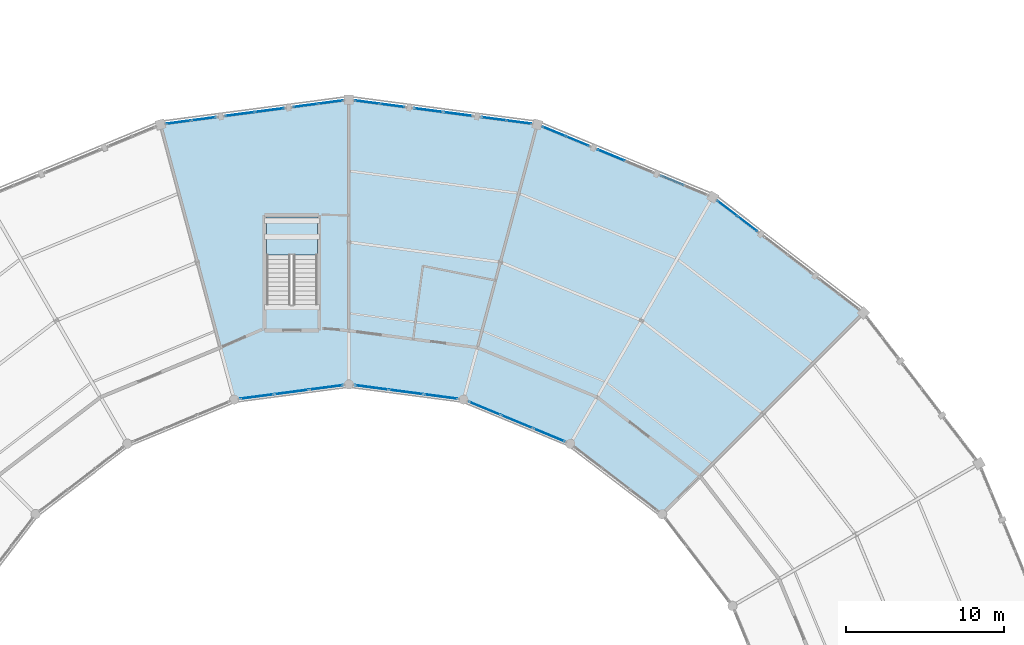
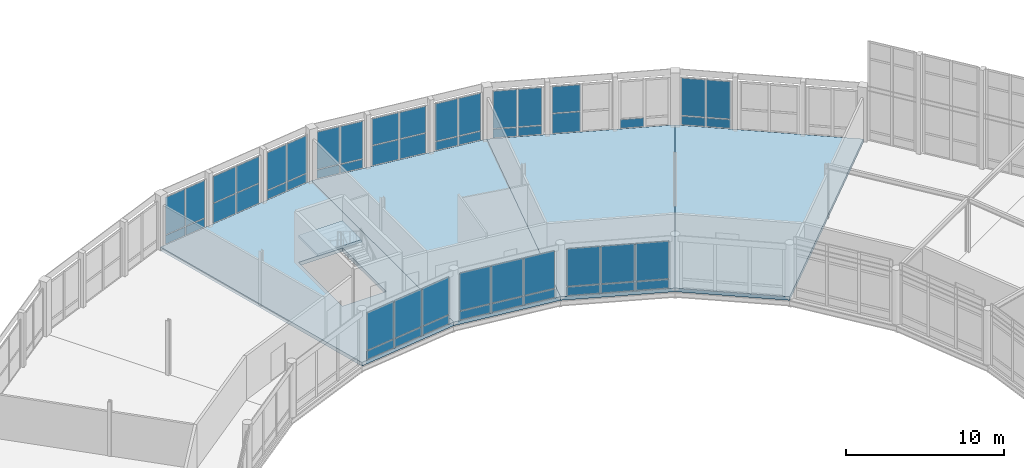
# One storey, part 142 of 185: 53 plates, 5 slabs, 14 elements without a shape of their own.
"""IFC4 building model written with IfcOpenShell, lengths in metres."""

from ifc_helpers import new_model, si_unit, direction, frame, origin, origin_2d, place, context, subcontext, project, spatial, polyline, rectangle, outline, extrude, material, layer, layer_set, type_object, element, aggregate, save


model = new_model("IFC4")

# Units and contexts
model_context = context("Model", 3, precision=1e-05, world=origin(), true_north=direction((0.0, 1.0)))
body_context = subcontext(model_context, "Body", "Model", "MODEL_VIEW")
ifc_project = project(units=[si_unit("LENGTHUNIT", "METRE"), si_unit("AREAUNIT", "SQUARE_METRE"), si_unit("VOLUMEUNIT", "CUBIC_METRE"), si_unit("PLANEANGLEUNIT", "RADIAN"), si_unit("MASSUNIT", "GRAM", prefix="KILO")], contexts=[model_context])

# Site, building, storey
site_placement = place(None, origin())
site = spatial("IfcSite", under=ifc_project, at=site_placement, CompositionType="ELEMENT")
building_placement = place(site_placement, origin())
building = spatial("IfcBuilding", under=site, at=building_placement, Name="Vondelvale Polytechnic", CompositionType="ELEMENT")
storey_placement = place(building_placement, frame((0.0, 0.0, 9.60009765625)))
storey = spatial("IfcBuildingStorey", under=building, at=storey_placement, Name="L02", CompositionType="ELEMENT", Elevation=9.60009765625)

# Curtain wall, plates
ifc_material_1 = material(Name="Glulam GL18 structural Tasmanian oak (fb = 42 MPa)", Category="wood")
curtain_wall_type_1 = type_object("IfcCurtainWallType", Name="CW-RING-OUTER", PredefinedType="NOTDEFINED", material=ifc_material_1)
curtain_wall_1_placement = place(storey_placement, origin())
curtain_wall_1 = element("IfcCurtainWall", 1, at=curtain_wall_1_placement, inside=storey, type_object=curtain_wall_type_1, Name="L02 architectural curtain wall CW-04-107", PredefinedType="NOTDEFINED")
ifc_material_2 = material(Name="Double-glazed low-E insulated architectural glass", Category="glass")
ifc_layer_1 = layer(ifc_material_2, 0.028076171875)
ifc_layer_set_1 = layer_set([ifc_layer_1], Name="CW-PANEL-GLAZED")
plate_type_1 = type_object("IfcPlateType", Name="CW-PANEL-GLAZED", PredefinedType="CURTAIN_PANEL", material=ifc_layer_set_1)
plate_1_placement = place(storey_placement, frame((127.187744140625, 110.158447265625, 0.780029296875), z_axis=(0.0, 0.0, 1.0), x_axis=(-0.793333825656, 0.608786860133, 0.0)))
plate_1 = element("IfcPlate", 2, at=plate_1_placement, type_object=plate_type_1, Name="CW-04-107 panel 1.2", PredefinedType="CURTAIN_PANEL", context=body_context, shape_type="SweptSolid", body=[
    extrude(rectangle(XDim=1.530029296875, YDim=0.028076171875, at=origin_2d()), origin(), (0.0, 0.0, 1.0), 2.8798828125),
])
plate_2_placement = place(storey_placement, frame((125.92236328125, 111.12939453125, 0.780029296875), z_axis=(0.0, 0.0, 1.0), x_axis=(-0.793333825656, 0.608786860133, 0.0)))
plate_2 = element("IfcPlate", 3, at=plate_2_placement, type_object=plate_type_1, Name="CW-04-107 panel 2.2", PredefinedType="CURTAIN_PANEL", context=body_context, shape_type="SweptSolid", body=[
    extrude(rectangle(XDim=1.530029296875, YDim=0.028076171875, at=origin_2d()), origin(), (0.0, 0.0, 1.0), 2.8798828125),
])

ifc_material_3 = material(Name="Anodised extruded aluminium 6063-T6", Category="aluminium")
curtain_wall_type_2 = type_object("IfcCurtainWallType", Name="CW-RING-CLOISTER", PredefinedType="NOTDEFINED", material=ifc_material_3)
curtain_wall_2_placement = place(storey_placement, origin())
curtain_wall_2 = element("IfcCurtainWall", 4, at=curtain_wall_2_placement, inside=storey, type_object=curtain_wall_type_2, Name="L02 architectural curtain wall CW-03-119", PredefinedType="NOTDEFINED")
plate_3_placement = place(storey_placement, frame((114.655029296875, 96.805908203125, 0.7822265625), z_axis=(0.0, 0.0, 1.0), x_axis=(-0.923881562419, 0.382678531697, 0.0)))
plate_3 = element("IfcPlate", 5, at=plate_3_placement, type_object=plate_type_1, Name="CW-03-119 panel 1.2", PredefinedType="CURTAIN_PANEL", context=body_context, shape_type="SweptSolid", body=[
    extrude(rectangle(XDim=2.111572265625, YDim=0.028076171875, at=origin_2d()), origin(), (0.0, 0.0, 1.0), 2.902587890625),
])
plate_4_placement = place(storey_placement, frame((112.62353515625, 97.647216796875, 0.7822265625), z_axis=(0.0, 0.0, 1.0), x_axis=(-0.923881562419, 0.382678531697, 0.0)))
plate_4 = element("IfcPlate", 6, at=plate_4_placement, type_object=plate_type_1, Name="CW-03-119 panel 2.2", PredefinedType="CURTAIN_PANEL", context=body_context, shape_type="SweptSolid", body=[
    extrude(rectangle(XDim=2.146484375, YDim=0.028076171875, at=origin_2d()), origin(), (0.0, 0.0, 1.0), 2.902587890625),
])
plate_5_placement = place(storey_placement, frame((110.591796875, 98.48876953125, 0.7822265625), z_axis=(0.0, 0.0, 1.0), x_axis=(-0.923881562419, 0.382678531697, 0.0)))
plate_5 = element("IfcPlate", 7, at=plate_5_placement, type_object=plate_type_1, Name="CW-03-119 panel 3.2", PredefinedType="CURTAIN_PANEL", context=body_context, shape_type="SweptSolid", body=[
    extrude(rectangle(XDim=2.111572265625, YDim=0.028076171875, at=origin_2d()), origin(), (0.0, 0.0, 1.0), 2.902587890625),
])

curtain_wall_3_placement = place(storey_placement, origin())
curtain_wall_3 = element("IfcCurtainWall", 8, at=curtain_wall_3_placement, inside=storey, type_object=curtain_wall_type_1, Name="L02 architectural curtain wall CW-04-122", PredefinedType="NOTDEFINED")
plate_6_placement = place(storey_placement, frame((116.453369140625, 115.377197265625, 0.780029296875), z_axis=(0.0, 0.0, 1.0), x_axis=(-0.923882033442, 0.382677394529, 0.0)))
plate_6 = element("IfcPlate", 9, at=plate_6_placement, type_object=plate_type_1, Name="CW-04-122 panel 1.2", PredefinedType="CURTAIN_PANEL", context=body_context, shape_type="SweptSolid", body=[
    extrude(rectangle(XDim=1.530029296875, YDim=0.028076171875, at=origin_2d()), origin(), (0.0, 0.0, 1.0), 2.8798828125),
])
plate_7_placement = place(storey_placement, frame((114.97998046875, 115.98779296875, 0.780029296875), z_axis=(0.0, 0.0, 1.0), x_axis=(-0.923882033442, 0.382677394529, 0.0)))
plate_7 = element("IfcPlate", 10, at=plate_7_placement, type_object=plate_type_1, Name="CW-04-122 panel 2.2", PredefinedType="CURTAIN_PANEL", context=body_context, shape_type="SweptSolid", body=[
    extrude(rectangle(XDim=1.530029296875, YDim=0.028076171875, at=origin_2d()), origin(), (0.0, 0.0, 1.0), 2.8798828125),
])

curtain_wall_4_placement = place(storey_placement, origin())
curtain_wall_4 = element("IfcCurtainWall", 11, at=curtain_wall_4_placement, inside=storey, type_object=curtain_wall_type_2, Name="L02 architectural curtain wall CW-03-139", PredefinedType="NOTDEFINED")
plate_8_placement = place(storey_placement, frame((107.804443359375, 99.23583984375, 0.7822265625), z_axis=(0.0, 0.0, 1.0), x_axis=(-0.99144462243, 0.130528007165, 0.0)))
plate_8 = element("IfcPlate", 12, at=plate_8_placement, type_object=plate_type_1, Name="CW-03-139 panel 1.2", PredefinedType="CURTAIN_PANEL", context=body_context, shape_type="SweptSolid", body=[
    extrude(rectangle(XDim=2.1123046875, YDim=0.028076171875, at=origin_2d()), origin(), (0.0, 0.0, 1.0), 2.902587890625),
])
plate_9_placement = place(storey_placement, frame((105.62353515625, 99.52294921875, 0.7822265625), z_axis=(0.0, 0.0, 1.0), x_axis=(-0.99144462243, 0.130528007165, 0.0)))
plate_9 = element("IfcPlate", 13, at=plate_9_placement, type_object=plate_type_1, Name="CW-03-139 panel 2.2", PredefinedType="CURTAIN_PANEL", context=body_context, shape_type="SweptSolid", body=[
    extrude(rectangle(XDim=2.1474609375, YDim=0.028076171875, at=origin_2d()), origin(), (0.0, 0.0, 1.0), 2.902587890625),
])
plate_10_placement = place(storey_placement, frame((103.4423828125, 99.81005859375, 0.7822265625), z_axis=(0.0, 0.0, 1.0), x_axis=(-0.99144462243, 0.130528007165, 0.0)))
plate_10 = element("IfcPlate", 14, at=plate_10_placement, type_object=plate_type_1, Name="CW-03-139 panel 3.2", PredefinedType="CURTAIN_PANEL", context=body_context, shape_type="SweptSolid", body=[
    extrude(rectangle(XDim=2.1123046875, YDim=0.028076171875, at=origin_2d()), origin(), (0.0, 0.0, 1.0), 2.902587890625),
])

curtain_wall_5_placement = place(storey_placement, origin())
curtain_wall_5 = element("IfcCurtainWall", 15, at=curtain_wall_5_placement, inside=storey, type_object=curtain_wall_type_1, Name="L02 architectural curtain wall CW-04-140", PredefinedType="NOTDEFINED")
plate_11_placement = place(storey_placement, frame((112.7529296875, 116.584228515625, 0.780029296875), z_axis=(0.0, 0.0, 1.0), x_axis=(-0.991443102996, 0.130539547729, 0.0)))
plate_11 = element("IfcPlate", 16, at=plate_11_placement, type_object=plate_type_1, Name="CW-04-140 panel 1.2", PredefinedType="CURTAIN_PANEL", context=body_context, shape_type="SweptSolid", body=[
    extrude(rectangle(XDim=1.530029296875, YDim=0.028076171875, at=origin_2d()), origin(), (0.0, 0.0, 1.0), 2.8798828125),
])
plate_12_placement = place(storey_placement, frame((111.171630859375, 116.79248046875, 0.780029296875), z_axis=(0.0, 0.0, 1.0), x_axis=(-0.991443102996, 0.130539547729, 0.0)))
plate_12 = element("IfcPlate", 17, at=plate_12_placement, type_object=plate_type_1, Name="CW-04-140 panel 2.2", PredefinedType="CURTAIN_PANEL", context=body_context, shape_type="SweptSolid", body=[
    extrude(rectangle(XDim=1.530029296875, YDim=0.028076171875, at=origin_2d()), origin(), (0.0, 0.0, 1.0), 2.8798828125),
])

curtain_wall_6_placement = place(storey_placement, origin())
curtain_wall_6 = element("IfcCurtainWall", 18, at=curtain_wall_6_placement, inside=storey, type_object=curtain_wall_type_1, Name="L02 architectural curtain wall CW-04-141", PredefinedType="NOTDEFINED")
plate_13_placement = place(storey_placement, frame((108.8818359375, 117.093994140625, 1.6298828125), z_axis=(0.0, 0.0, 1.0), x_axis=(-0.991448671082, 0.130497251349, 0.0)))
plate_13 = element("IfcPlate", 19, at=plate_13_placement, type_object=plate_type_1, Name="CW-04-141 panel 1.2", PredefinedType="CURTAIN_PANEL", context=body_context, shape_type="SweptSolid", body=[
    extrude(rectangle(XDim=1.80908203125, YDim=0.028076171875, at=origin_2d()), origin(), (0.0, 0.0, 1.0), 2.030029296875),
])
plate_14_placement = place(storey_placement, frame((107.02392578125, 117.338623046875, 1.6298828125), z_axis=(0.0, 0.0, 1.0), x_axis=(-0.991448671082, 0.130497251349, 0.0)))
plate_14 = element("IfcPlate", 20, at=plate_14_placement, type_object=plate_type_1, Name="CW-04-141 panel 2.2", PredefinedType="CURTAIN_PANEL", context=body_context, shape_type="SweptSolid", body=[
    extrude(rectangle(XDim=1.80908203125, YDim=0.028076171875, at=origin_2d()), origin(), (0.0, 0.0, 1.0), 2.030029296875),
])

curtain_wall_7_placement = place(storey_placement, origin())
curtain_wall_7 = element("IfcCurtainWall", 21, at=curtain_wall_7_placement, inside=storey, type_object=curtain_wall_type_1, Name="L02 architectural curtain wall CW-04-142", PredefinedType="NOTDEFINED")
plate_15_placement = place(storey_placement, frame((104.734130859375, 117.64013671875, 0.780029296875), z_axis=(0.0, 0.0, 1.0), x_axis=(-0.991443102996, 0.130539547729, 0.0)))
plate_15 = element("IfcPlate", 22, at=plate_15_placement, type_object=plate_type_1, Name="CW-04-142 panel 1.2", PredefinedType="CURTAIN_PANEL", context=body_context, shape_type="SweptSolid", body=[
    extrude(rectangle(XDim=1.530029296875, YDim=0.028076171875, at=origin_2d()), origin(), (0.0, 0.0, 1.0), 2.8798828125),
])
plate_16_placement = place(storey_placement, frame((103.15283203125, 117.84814453125, 0.780029296875), z_axis=(0.0, 0.0, 1.0), x_axis=(-0.991443102996, 0.130539547729, 0.0)))
plate_16 = element("IfcPlate", 23, at=plate_16_placement, type_object=plate_type_1, Name="CW-04-142 panel 2.2", PredefinedType="CURTAIN_PANEL", context=body_context, shape_type="SweptSolid", body=[
    extrude(rectangle(XDim=1.530029296875, YDim=0.028076171875, at=origin_2d()), origin(), (0.0, 0.0, 1.0), 2.8798828125),
])

curtain_wall_8_placement = place(storey_placement, origin())
curtain_wall_8 = element("IfcCurtainWall", 24, at=curtain_wall_8_placement, inside=storey, type_object=curtain_wall_type_2, Name="L02 architectural curtain wall CW-03-159", PredefinedType="NOTDEFINED")
plate_17_placement = place(storey_placement, frame((100.5576171875, 99.81005859375, 0.7822265625), z_axis=(0.0, 0.0, 1.0), x_axis=(-0.99144462243, -0.130528007165, 0.0)))
plate_17 = element("IfcPlate", 25, at=plate_17_placement, type_object=plate_type_1, Name="CW-03-159 panel 1.2", PredefinedType="CURTAIN_PANEL", context=body_context, shape_type="SweptSolid", body=[
    extrude(rectangle(XDim=2.1123046875, YDim=0.028076171875, at=origin_2d()), origin(), (0.0, 0.0, 1.0), 2.902587890625),
])
plate_18_placement = place(storey_placement, frame((98.37646484375, 99.52294921875, 0.7822265625), z_axis=(0.0, 0.0, 1.0), x_axis=(-0.99144462243, -0.130528007165, 0.0)))
plate_18 = element("IfcPlate", 26, at=plate_18_placement, type_object=plate_type_1, Name="CW-03-159 panel 2.2", PredefinedType="CURTAIN_PANEL", context=body_context, shape_type="SweptSolid", body=[
    extrude(rectangle(XDim=2.1474609375, YDim=0.028076171875, at=origin_2d()), origin(), (0.0, 0.0, 1.0), 2.902587890625),
])
plate_19_placement = place(storey_placement, frame((96.195556640625, 99.23583984375, 0.7822265625), z_axis=(0.0, 0.0, 1.0), x_axis=(-0.99144462243, -0.130528007165, 0.0)))
plate_19 = element("IfcPlate", 27, at=plate_19_placement, type_object=plate_type_1, Name="CW-03-159 panel 3.2", PredefinedType="CURTAIN_PANEL", context=body_context, shape_type="SweptSolid", body=[
    extrude(rectangle(XDim=2.1123046875, YDim=0.028076171875, at=origin_2d()), origin(), (0.0, 0.0, 1.0), 2.902587890625),
])

curtain_wall_9_placement = place(storey_placement, origin())
curtain_wall_9 = element("IfcCurtainWall", 28, at=curtain_wall_9_placement, inside=storey, type_object=curtain_wall_type_1, Name="L02 architectural curtain wall CW-04-160", PredefinedType="NOTDEFINED")
plate_20_placement = place(storey_placement, frame((100.84716796875, 117.84814453125, 0.780029296875), z_axis=(0.0, 0.0, 1.0), x_axis=(-0.991443102996, -0.130539547729, 0.0)))
plate_20 = element("IfcPlate", 29, at=plate_20_placement, type_object=plate_type_1, Name="CW-04-160 panel 1.2", PredefinedType="CURTAIN_PANEL", context=body_context, shape_type="SweptSolid", body=[
    extrude(rectangle(XDim=1.530029296875, YDim=0.028076171875, at=origin_2d()), origin(), (0.0, 0.0, 1.0), 2.8798828125),
])
plate_21_placement = place(storey_placement, frame((99.265869140625, 117.64013671875, 0.780029296875), z_axis=(0.0, 0.0, 1.0), x_axis=(-0.991443102996, -0.130539547729, 0.0)))
plate_21 = element("IfcPlate", 30, at=plate_21_placement, type_object=plate_type_1, Name="CW-04-160 panel 2.2", PredefinedType="CURTAIN_PANEL", context=body_context, shape_type="SweptSolid", body=[
    extrude(rectangle(XDim=1.530029296875, YDim=0.028076171875, at=origin_2d()), origin(), (0.0, 0.0, 1.0), 2.8798828125),
])

curtain_wall_10_placement = place(storey_placement, origin())
curtain_wall_10 = element("IfcCurtainWall", 31, at=curtain_wall_10_placement, inside=storey, type_object=curtain_wall_type_1, Name="L02 architectural curtain wall CW-04-162", PredefinedType="NOTDEFINED")
plate_22_placement = place(storey_placement, frame((92.828369140625, 116.79248046875, 0.780029296875), z_axis=(0.0, 0.0, 1.0), x_axis=(-0.991443102996, -0.130539547729, 0.0)))
plate_22 = element("IfcPlate", 32, at=plate_22_placement, type_object=plate_type_1, Name="CW-04-162 panel 1.2", PredefinedType="CURTAIN_PANEL", context=body_context, shape_type="SweptSolid", body=[
    extrude(rectangle(XDim=1.530029296875, YDim=0.028076171875, at=origin_2d()), origin(), (0.0, 0.0, 1.0), 2.8798828125),
])
plate_23_placement = place(storey_placement, frame((91.2470703125, 116.584228515625, 0.780029296875), z_axis=(0.0, 0.0, 1.0), x_axis=(-0.991443102996, -0.130539547729, 0.0)))
plate_23 = element("IfcPlate", 33, at=plate_23_placement, type_object=plate_type_1, Name="CW-04-162 panel 2.2", PredefinedType="CURTAIN_PANEL", context=body_context, shape_type="SweptSolid", body=[
    extrude(rectangle(XDim=1.530029296875, YDim=0.028076171875, at=origin_2d()), origin(), (0.0, 0.0, 1.0), 2.8798828125),
])

# Plate
ifc_material_4 = material(Name="Engineered Tasmanian oak studio and bridge joinery")
ifc_layer_2 = layer(ifc_material_4, 0.0419921875)
ifc_layer_set_2 = layer_set([ifc_layer_2], Name="CW-PANEL-OAK")
plate_type_2 = type_object("IfcPlateType", Name="CW-PANEL-OAK", PredefinedType="CURTAIN_PANEL", material=ifc_layer_set_2)
plate_24_placement = place(storey_placement, frame((114.655029296875, 96.805908203125, 0.06494140625), z_axis=(0.0, 0.0, 1.0), x_axis=(-0.923881562419, 0.382678531697, 0.0)))
plate_24 = element("IfcPlate", 34, at=plate_24_placement, type_object=plate_type_2, Name="CW-03-119 panel 1.1", PredefinedType="CURTAIN_PANEL", context=body_context, shape_type="SweptSolid", body=[
    extrude(rectangle(XDim=2.111572265625, YDim=0.0419921875, at=origin_2d()), origin(), (0.0, 0.0, 1.0), 0.652587890625),
])

plate_25_placement = place(storey_placement, frame((112.62353515625, 97.647216796875, 0.06494140625), z_axis=(0.0, 0.0, 1.0), x_axis=(-0.923881562419, 0.382678531697, 0.0)))
plate_25 = element("IfcPlate", 35, at=plate_25_placement, type_object=plate_type_2, Name="CW-03-119 panel 2.1", PredefinedType="CURTAIN_PANEL", context=body_context, shape_type="SweptSolid", body=[
    extrude(rectangle(XDim=2.146484375, YDim=0.0419921875, at=origin_2d()), origin(), (0.0, 0.0, 1.0), 0.652587890625),
])

plate_26_placement = place(storey_placement, frame((110.591796875, 98.48876953125, 0.06494140625), z_axis=(0.0, 0.0, 1.0), x_axis=(-0.923881562419, 0.382678531697, 0.0)))
plate_26 = element("IfcPlate", 36, at=plate_26_placement, type_object=plate_type_2, Name="CW-03-119 panel 3.1", PredefinedType="CURTAIN_PANEL", context=body_context, shape_type="SweptSolid", body=[
    extrude(rectangle(XDim=2.111572265625, YDim=0.0419921875, at=origin_2d()), origin(), (0.0, 0.0, 1.0), 0.652587890625),
])

aggregate(curtain_wall_2, [plate_24, plate_3, plate_25, plate_4, plate_26, plate_5])

# Curtain wall, plates
curtain_wall_11_placement = place(storey_placement, origin())
curtain_wall_11 = element("IfcCurtainWall", 37, at=curtain_wall_11_placement, inside=storey, type_object=curtain_wall_type_1, Name="L02 architectural curtain wall CW-04-121", PredefinedType="NOTDEFINED")
plate_27_placement = place(storey_placement, frame((118.587158203125, 114.493408203125, 0.06005859375), z_axis=(0.0, 0.0, 1.0), x_axis=(-0.92387490701, 0.382694599123, 0.0)))
plate_27 = element("IfcPlate", 38, at=plate_27_placement, type_object=plate_type_2, Name="CW-04-121 panel 2.1", PredefinedType="CURTAIN_PANEL", context=body_context, shape_type="SweptSolid", body=[
    extrude(rectangle(XDim=1.80908203125, YDim=0.0419921875, at=origin_2d()), origin(), (0.0, 0.0, 1.0), 1.510009765625),
])
plate_28_placement = place(storey_placement, frame((118.587158203125, 114.493408203125, 1.6298828125), z_axis=(0.0, 0.0, 1.0), x_axis=(-0.92387490701, 0.382694599123, 0.0)))
plate_28 = element("IfcPlate", 39, at=plate_28_placement, type_object=plate_type_2, Name="CW-04-121 panel 2.2", PredefinedType="CURTAIN_PANEL", context=body_context, shape_type="SweptSolid", body=[
    extrude(rectangle(XDim=1.80908203125, YDim=0.0419921875, at=origin_2d()), origin(), (0.0, 0.0, 1.0), 2.030029296875),
])
aggregate(curtain_wall_11, [plate_27, plate_28])

# Plate
plate_29_placement = place(storey_placement, frame((107.804443359375, 99.23583984375, 0.06494140625), z_axis=(0.0, 0.0, 1.0), x_axis=(-0.99144462243, 0.130528007165, 0.0)))
plate_29 = element("IfcPlate", 40, at=plate_29_placement, type_object=plate_type_2, Name="CW-03-139 panel 1.1", PredefinedType="CURTAIN_PANEL", context=body_context, shape_type="SweptSolid", body=[
    extrude(rectangle(XDim=2.1123046875, YDim=0.0419921875, at=origin_2d()), origin(), (0.0, 0.0, 1.0), 0.652587890625),
])

plate_30_placement = place(storey_placement, frame((105.62353515625, 99.52294921875, 0.06494140625), z_axis=(0.0, 0.0, 1.0), x_axis=(-0.99144462243, 0.130528007165, 0.0)))
plate_30 = element("IfcPlate", 41, at=plate_30_placement, type_object=plate_type_2, Name="CW-03-139 panel 2.1", PredefinedType="CURTAIN_PANEL", context=body_context, shape_type="SweptSolid", body=[
    extrude(rectangle(XDim=2.1474609375, YDim=0.0419921875, at=origin_2d()), origin(), (0.0, 0.0, 1.0), 0.652587890625),
])

plate_31_placement = place(storey_placement, frame((103.4423828125, 99.81005859375, 0.06494140625), z_axis=(0.0, 0.0, 1.0), x_axis=(-0.99144462243, 0.130528007165, 0.0)))
plate_31 = element("IfcPlate", 42, at=plate_31_placement, type_object=plate_type_2, Name="CW-03-139 panel 3.1", PredefinedType="CURTAIN_PANEL", context=body_context, shape_type="SweptSolid", body=[
    extrude(rectangle(XDim=2.1123046875, YDim=0.0419921875, at=origin_2d()), origin(), (0.0, 0.0, 1.0), 0.652587890625),
])

aggregate(curtain_wall_4, [plate_29, plate_8, plate_30, plate_9, plate_31, plate_10])

plate_32_placement = place(storey_placement, frame((108.8818359375, 117.093994140625, 0.06005859375), z_axis=(0.0, 0.0, 1.0), x_axis=(-0.991448671082, 0.130497251349, 0.0)))
plate_32 = element("IfcPlate", 43, at=plate_32_placement, type_object=plate_type_2, Name="CW-04-141 panel 1.1", PredefinedType="CURTAIN_PANEL", context=body_context, shape_type="SweptSolid", body=[
    extrude(rectangle(XDim=1.80908203125, YDim=0.0419921875, at=origin_2d()), origin(), (0.0, 0.0, 1.0), 1.510009765625),
])

plate_33_placement = place(storey_placement, frame((107.02392578125, 117.338623046875, 0.06005859375), z_axis=(0.0, 0.0, 1.0), x_axis=(-0.991448671082, 0.130497251349, 0.0)))
plate_33 = element("IfcPlate", 44, at=plate_33_placement, type_object=plate_type_2, Name="CW-04-141 panel 2.1", PredefinedType="CURTAIN_PANEL", context=body_context, shape_type="SweptSolid", body=[
    extrude(rectangle(XDim=1.80908203125, YDim=0.0419921875, at=origin_2d()), origin(), (0.0, 0.0, 1.0), 1.510009765625),
])

aggregate(curtain_wall_6, [plate_32, plate_13, plate_33, plate_14])

plate_34_placement = place(storey_placement, frame((100.5576171875, 99.81005859375, 0.06494140625), z_axis=(0.0, 0.0, 1.0), x_axis=(-0.99144462243, -0.130528007165, 0.0)))
plate_34 = element("IfcPlate", 45, at=plate_34_placement, type_object=plate_type_2, Name="CW-03-159 panel 1.1", PredefinedType="CURTAIN_PANEL", context=body_context, shape_type="SweptSolid", body=[
    extrude(rectangle(XDim=2.1123046875, YDim=0.0419921875, at=origin_2d()), origin(), (0.0, 0.0, 1.0), 0.652587890625),
])

plate_35_placement = place(storey_placement, frame((98.37646484375, 99.52294921875, 0.06494140625), z_axis=(0.0, 0.0, 1.0), x_axis=(-0.99144462243, -0.130528007165, 0.0)))
plate_35 = element("IfcPlate", 46, at=plate_35_placement, type_object=plate_type_2, Name="CW-03-159 panel 2.1", PredefinedType="CURTAIN_PANEL", context=body_context, shape_type="SweptSolid", body=[
    extrude(rectangle(XDim=2.1474609375, YDim=0.0419921875, at=origin_2d()), origin(), (0.0, 0.0, 1.0), 0.652587890625),
])

plate_36_placement = place(storey_placement, frame((96.195556640625, 99.23583984375, 0.06494140625), z_axis=(0.0, 0.0, 1.0), x_axis=(-0.99144462243, -0.130528007165, 0.0)))
plate_36 = element("IfcPlate", 47, at=plate_36_placement, type_object=plate_type_2, Name="CW-03-159 panel 3.1", PredefinedType="CURTAIN_PANEL", context=body_context, shape_type="SweptSolid", body=[
    extrude(rectangle(XDim=2.1123046875, YDim=0.0419921875, at=origin_2d()), origin(), (0.0, 0.0, 1.0), 0.652587890625),
])

aggregate(curtain_wall_8, [plate_34, plate_17, plate_35, plate_18, plate_36, plate_19])

# Curtain wall, plates
curtain_wall_12_placement = place(storey_placement, origin())
curtain_wall_12 = element("IfcCurtainWall", 48, at=curtain_wall_12_placement, inside=storey, type_object=curtain_wall_type_1, Name="L02 architectural curtain wall CW-04-161", PredefinedType="NOTDEFINED")
plate_37_placement = place(storey_placement, frame((96.97607421875, 117.338623046875, 0.06005859375), z_axis=(0.0, 0.0, 1.0), x_axis=(-0.991448671082, -0.130497251349, 0.0)))
plate_37 = element("IfcPlate", 49, at=plate_37_placement, type_object=plate_type_2, Name="CW-04-161 panel 1.1", PredefinedType="CURTAIN_PANEL", context=body_context, shape_type="SweptSolid", body=[
    extrude(rectangle(XDim=1.80908203125, YDim=0.0419921875, at=origin_2d()), origin(), (0.0, 0.0, 1.0), 1.510009765625),
])
plate_38_placement = place(storey_placement, frame((96.97607421875, 117.338623046875, 1.6298828125), z_axis=(0.0, 0.0, 1.0), x_axis=(-0.991448671082, -0.130497251349, 0.0)))
plate_38 = element("IfcPlate", 50, at=plate_38_placement, type_object=plate_type_2, Name="CW-04-161 panel 1.2", PredefinedType="CURTAIN_PANEL", context=body_context, shape_type="SweptSolid", body=[
    extrude(rectangle(XDim=1.80908203125, YDim=0.0419921875, at=origin_2d()), origin(), (0.0, 0.0, 1.0), 2.030029296875),
])
plate_39_placement = place(storey_placement, frame((95.1181640625, 117.093994140625, 0.06005859375), z_axis=(0.0, 0.0, 1.0), x_axis=(-0.991448671082, -0.130497251349, 0.0)))
plate_39 = element("IfcPlate", 51, at=plate_39_placement, type_object=plate_type_2, Name="CW-04-161 panel 2.1", PredefinedType="CURTAIN_PANEL", context=body_context, shape_type="SweptSolid", body=[
    extrude(rectangle(XDim=1.80908203125, YDim=0.0419921875, at=origin_2d()), origin(), (0.0, 0.0, 1.0), 1.510009765625),
])
plate_40_placement = place(storey_placement, frame((95.1181640625, 117.093994140625, 1.6298828125), z_axis=(0.0, 0.0, 1.0), x_axis=(-0.991448671082, -0.130497251349, 0.0)))
plate_40 = element("IfcPlate", 52, at=plate_40_placement, type_object=plate_type_2, Name="CW-04-161 panel 2.2", PredefinedType="CURTAIN_PANEL", context=body_context, shape_type="SweptSolid", body=[
    extrude(rectangle(XDim=1.80908203125, YDim=0.0419921875, at=origin_2d()), origin(), (0.0, 0.0, 1.0), 2.030029296875),
])
aggregate(curtain_wall_12, [plate_37, plate_38, plate_39, plate_40])

# Plate
ifc_material_5 = material(Name="Kiln-fired architectural terracotta", Category="masonry")
ifc_layer_3 = layer(ifc_material_5, 0.035888671875)
ifc_layer_set_3 = layer_set([ifc_layer_3], Name="CW-PANEL-SPANDREL")
plate_type_3 = type_object("IfcPlateType", Name="CW-PANEL-SPANDREL", PredefinedType="CURTAIN_PANEL", material=ifc_layer_set_3)
plate_41_placement = place(storey_placement, frame((127.187744140625, 110.158447265625, 0.06005859375), z_axis=(0.0, 0.0, 1.0), x_axis=(-0.793333825656, 0.608786860133, 0.0)))
plate_41 = element("IfcPlate", 53, at=plate_41_placement, type_object=plate_type_3, Name="CW-04-107 panel 1.1", PredefinedType="CURTAIN_PANEL", context=body_context, shape_type="SweptSolid", body=[
    extrude(rectangle(XDim=1.530029296875, YDim=0.035888671875, at=origin_2d()), origin(), (0.0, 0.0, 1.0), 0.659912109375),
])

plate_42_placement = place(storey_placement, frame((125.92236328125, 111.12939453125, 0.06005859375), z_axis=(0.0, 0.0, 1.0), x_axis=(-0.793333825656, 0.608786860133, 0.0)))
plate_42 = element("IfcPlate", 54, at=plate_42_placement, type_object=plate_type_3, Name="CW-04-107 panel 2.1", PredefinedType="CURTAIN_PANEL", context=body_context, shape_type="SweptSolid", body=[
    extrude(rectangle(XDim=1.530029296875, YDim=0.035888671875, at=origin_2d()), origin(), (0.0, 0.0, 1.0), 0.659912109375),
])

aggregate(curtain_wall_1, [plate_41, plate_1, plate_42, plate_2])

# Curtain wall, plate
curtain_wall_13_placement = place(storey_placement, origin())
curtain_wall_13 = element("IfcCurtainWall", 55, at=curtain_wall_13_placement, inside=storey, type_object=curtain_wall_type_1, Name="L02 architectural curtain wall CW-04-120", PredefinedType="NOTDEFINED")
plate_43_placement = place(storey_placement, frame((122.4521484375, 112.892578125, 0.06005859375), z_axis=(0.0, 0.0, 1.0), x_axis=(-0.923882033442, 0.382677394529, 0.0)))
plate_43 = element("IfcPlate", 56, at=plate_43_placement, type_object=plate_type_3, Name="CW-04-120 panel 2.1", PredefinedType="CURTAIN_PANEL", context=body_context, shape_type="SweptSolid", body=[
    extrude(rectangle(XDim=1.530029296875, YDim=0.035888671875, at=origin_2d()), origin(), (0.0, 0.0, 1.0), 0.659912109375),
])
aggregate(curtain_wall_13, [plate_43])

# Plate
plate_44_placement = place(storey_placement, frame((116.453369140625, 115.377197265625, 0.06005859375), z_axis=(0.0, 0.0, 1.0), x_axis=(-0.923882033442, 0.382677394529, 0.0)))
plate_44 = element("IfcPlate", 57, at=plate_44_placement, type_object=plate_type_3, Name="CW-04-122 panel 1.1", PredefinedType="CURTAIN_PANEL", context=body_context, shape_type="SweptSolid", body=[
    extrude(rectangle(XDim=1.530029296875, YDim=0.035888671875, at=origin_2d()), origin(), (0.0, 0.0, 1.0), 0.659912109375),
])

plate_45_placement = place(storey_placement, frame((114.97998046875, 115.98779296875, 0.06005859375), z_axis=(0.0, 0.0, 1.0), x_axis=(-0.923882033442, 0.382677394529, 0.0)))
plate_45 = element("IfcPlate", 58, at=plate_45_placement, type_object=plate_type_3, Name="CW-04-122 panel 2.1", PredefinedType="CURTAIN_PANEL", context=body_context, shape_type="SweptSolid", body=[
    extrude(rectangle(XDim=1.530029296875, YDim=0.035888671875, at=origin_2d()), origin(), (0.0, 0.0, 1.0), 0.659912109375),
])

aggregate(curtain_wall_3, [plate_44, plate_6, plate_45, plate_7])

plate_46_placement = place(storey_placement, frame((112.7529296875, 116.584228515625, 0.06005859375), z_axis=(0.0, 0.0, 1.0), x_axis=(-0.991443102996, 0.130539547729, 0.0)))
plate_46 = element("IfcPlate", 59, at=plate_46_placement, type_object=plate_type_3, Name="CW-04-140 panel 1.1", PredefinedType="CURTAIN_PANEL", context=body_context, shape_type="SweptSolid", body=[
    extrude(rectangle(XDim=1.530029296875, YDim=0.035888671875, at=origin_2d()), origin(), (0.0, 0.0, 1.0), 0.659912109375),
])

plate_47_placement = place(storey_placement, frame((111.171630859375, 116.79248046875, 0.06005859375), z_axis=(0.0, 0.0, 1.0), x_axis=(-0.991443102996, 0.130539547729, 0.0)))
plate_47 = element("IfcPlate", 60, at=plate_47_placement, type_object=plate_type_3, Name="CW-04-140 panel 2.1", PredefinedType="CURTAIN_PANEL", context=body_context, shape_type="SweptSolid", body=[
    extrude(rectangle(XDim=1.530029296875, YDim=0.035888671875, at=origin_2d()), origin(), (0.0, 0.0, 1.0), 0.659912109375),
])

aggregate(curtain_wall_5, [plate_46, plate_11, plate_47, plate_12])

plate_48_placement = place(storey_placement, frame((104.734130859375, 117.64013671875, 0.06005859375), z_axis=(0.0, 0.0, 1.0), x_axis=(-0.991443102996, 0.130539547729, 0.0)))
plate_48 = element("IfcPlate", 61, at=plate_48_placement, type_object=plate_type_3, Name="CW-04-142 panel 1.1", PredefinedType="CURTAIN_PANEL", context=body_context, shape_type="SweptSolid", body=[
    extrude(rectangle(XDim=1.530029296875, YDim=0.035888671875, at=origin_2d()), origin(), (0.0, 0.0, 1.0), 0.659912109375),
])

plate_49_placement = place(storey_placement, frame((103.15283203125, 117.84814453125, 0.06005859375), z_axis=(0.0, 0.0, 1.0), x_axis=(-0.991443102996, 0.130539547729, 0.0)))
plate_49 = element("IfcPlate", 62, at=plate_49_placement, type_object=plate_type_3, Name="CW-04-142 panel 2.1", PredefinedType="CURTAIN_PANEL", context=body_context, shape_type="SweptSolid", body=[
    extrude(rectangle(XDim=1.530029296875, YDim=0.035888671875, at=origin_2d()), origin(), (0.0, 0.0, 1.0), 0.659912109375),
])

aggregate(curtain_wall_7, [plate_48, plate_15, plate_49, plate_16])

plate_50_placement = place(storey_placement, frame((100.84716796875, 117.84814453125, 0.06005859375), z_axis=(0.0, 0.0, 1.0), x_axis=(-0.991443102996, -0.130539547729, 0.0)))
plate_50 = element("IfcPlate", 63, at=plate_50_placement, type_object=plate_type_3, Name="CW-04-160 panel 1.1", PredefinedType="CURTAIN_PANEL", context=body_context, shape_type="SweptSolid", body=[
    extrude(rectangle(XDim=1.530029296875, YDim=0.035888671875, at=origin_2d()), origin(), (0.0, 0.0, 1.0), 0.659912109375),
])

plate_51_placement = place(storey_placement, frame((99.265869140625, 117.64013671875, 0.06005859375), z_axis=(0.0, 0.0, 1.0), x_axis=(-0.991443102996, -0.130539547729, 0.0)))
plate_51 = element("IfcPlate", 64, at=plate_51_placement, type_object=plate_type_3, Name="CW-04-160 panel 2.1", PredefinedType="CURTAIN_PANEL", context=body_context, shape_type="SweptSolid", body=[
    extrude(rectangle(XDim=1.530029296875, YDim=0.035888671875, at=origin_2d()), origin(), (0.0, 0.0, 1.0), 0.659912109375),
])

aggregate(curtain_wall_9, [plate_50, plate_20, plate_51, plate_21])

plate_52_placement = place(storey_placement, frame((92.828369140625, 116.79248046875, 0.06005859375), z_axis=(0.0, 0.0, 1.0), x_axis=(-0.991443102996, -0.130539547729, 0.0)))
plate_52 = element("IfcPlate", 65, at=plate_52_placement, type_object=plate_type_3, Name="CW-04-162 panel 1.1", PredefinedType="CURTAIN_PANEL", context=body_context, shape_type="SweptSolid", body=[
    extrude(rectangle(XDim=1.530029296875, YDim=0.035888671875, at=origin_2d()), origin(), (0.0, 0.0, 1.0), 0.659912109375),
])

plate_53_placement = place(storey_placement, frame((91.2470703125, 116.584228515625, 0.06005859375), z_axis=(0.0, 0.0, 1.0), x_axis=(-0.991443102996, -0.130539547729, 0.0)))
plate_53 = element("IfcPlate", 66, at=plate_53_placement, type_object=plate_type_3, Name="CW-04-162 panel 2.1", PredefinedType="CURTAIN_PANEL", context=body_context, shape_type="SweptSolid", body=[
    extrude(rectangle(XDim=1.530029296875, YDim=0.035888671875, at=origin_2d()), origin(), (0.0, 0.0, 1.0), 0.659912109375),
])

aggregate(curtain_wall_10, [plate_52, plate_22, plate_53, plate_23])

# Stair, slab
ifc_material_6 = material(Name="Concrete N40 (f'c = 40 MPa)", Category="concrete")
stair_type = type_object("IfcStairType", Name="STR-DOG-1500", PredefinedType="HALF_TURN_STAIR", material=ifc_material_6)
stair_placement = place(storey_placement, origin())
stair = element("IfcStair", 67, at=stair_placement, inside=storey, type_object=stair_type, Name="L02 ST-09", PredefinedType="HALF_TURN_STAIR")
ifc_layer_4 = layer(ifc_material_6, 0.199951171875)
ifc_layer_set_4 = layer_set([ifc_layer_4], Name="SLB-LANDING-200")
slab_type_1 = type_object("IfcSlabType", Name="SLB-LANDING-200", PredefinedType="LANDING", material=ifc_layer_set_4)
slab_1_placement = place(storey_placement, frame((0.0, 0.0, 1.89990234375)))
slab_1 = element("IfcSlab", 68, at=slab_1_placement, type_object=slab_type_1, Name="ST-09 landing 1", PredefinedType="LANDING", context=body_context, shape_type="SweptSolid", body=[
    extrude(outline(polyline([(100.0, 108.18505859375), (100.0, 110.60009765625), (96.800048828125, 110.60009765625), (96.800048828125, 108.18505859375), (100.0, 108.18505859375)])), origin(), (0.0, 0.0, 1.0), 0.199951171875),
])
aggregate(stair, [slab_1])

# Slabs
ifc_layer_5 = layer(ifc_material_6, 0.280029296875)
ifc_layer_set_5 = layer_set([ifc_layer_5], Name="SLB-LIBRARY-280")
slab_type_2 = type_object("IfcSlabType", Name="SLB-LIBRARY-280", PredefinedType="FLOOR", material=ifc_layer_set_5)
slab_2_placement = place(storey_placement, frame((0.0, 0.0, -0.280029296875)))
element("IfcSlab", 69, at=slab_2_placement, inside=storey, type_object=slab_type_2, Name="L02 circular ring sector 03 floor slab", PredefinedType="FLOOR", context=body_context, shape_type="SweptSolid", body=[
    extrude(outline(polyline([(121.799072265625, 91.799072265625), (134.52685546875, 104.52685546875), (125.0, 111.837158203125), (116.0, 96.248779296875), (121.799072265625, 91.799072265625)])), origin(), (0.0, 0.0, 1.0), 0.280029296875),
])
slab_3_placement = place(storey_placement, frame((0.0, 0.0, -0.280029296875)))
element("IfcSlab", 70, at=slab_3_placement, inside=storey, type_object=slab_type_2, Name="L02 circular ring sector 04 floor slab", PredefinedType="FLOOR", context=body_context, shape_type="SweptSolid", body=[
    extrude(outline(polyline([(116.0, 96.248779296875), (125.0, 111.837158203125), (113.90576171875, 116.4326171875), (109.246826171875, 99.0458984375), (116.0, 96.248779296875)])), origin(), (0.0, 0.0, 1.0), 0.280029296875),
])
slab_4_placement = place(storey_placement, frame((0.0, 0.0, -0.280029296875)))
element("IfcSlab", 71, at=slab_4_placement, inside=storey, type_object=slab_type_2, Name="L02 circular ring sector 05 floor slab", PredefinedType="FLOOR", context=body_context, shape_type="SweptSolid", body=[
    extrude(outline(polyline([(109.246826171875, 99.0458984375), (113.90576171875, 116.4326171875), (102.0, 118.0), (102.0, 100.0), (109.246826171875, 99.0458984375)])), origin(), (0.0, 0.0, 1.0), 0.280029296875),
])
slab_5_placement = place(storey_placement, frame((0.0, 0.0, -0.280029296875)))
element("IfcSlab", 72, at=slab_5_placement, inside=storey, type_object=slab_type_2, Name="L02 circular ring sector 06 floor slab", PredefinedType="FLOOR", context=body_context, shape_type="SweptSolid", body=[
    extrude(outline(polyline([(102.0, 100.0), (102.0, 118.0), (90.09423828125, 116.4326171875), (94.753173828125, 99.0458984375), (102.0, 100.0)]), holes=[polyline([(100.0, 105.050048828125), (100.0, 110.60009765625), (96.800048828125, 110.60009765625), (96.800048828125, 105.050048828125), (100.0, 105.050048828125)])]), origin(), (0.0, 0.0, 1.0), 0.280029296875),
])

save(model, "model.ifc")
